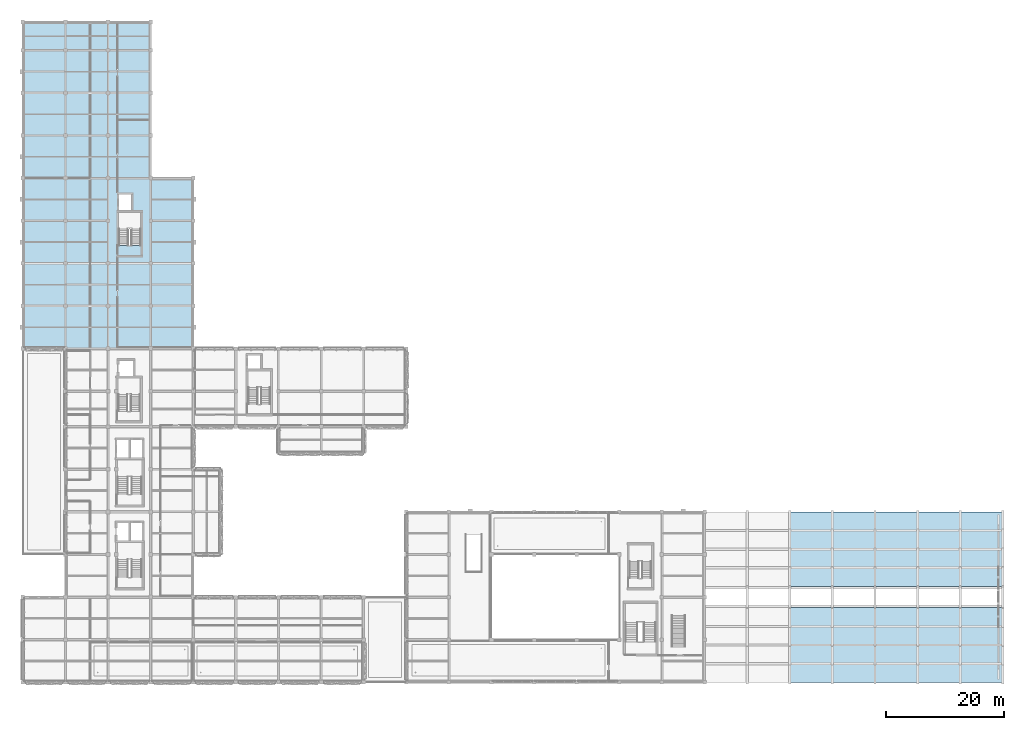
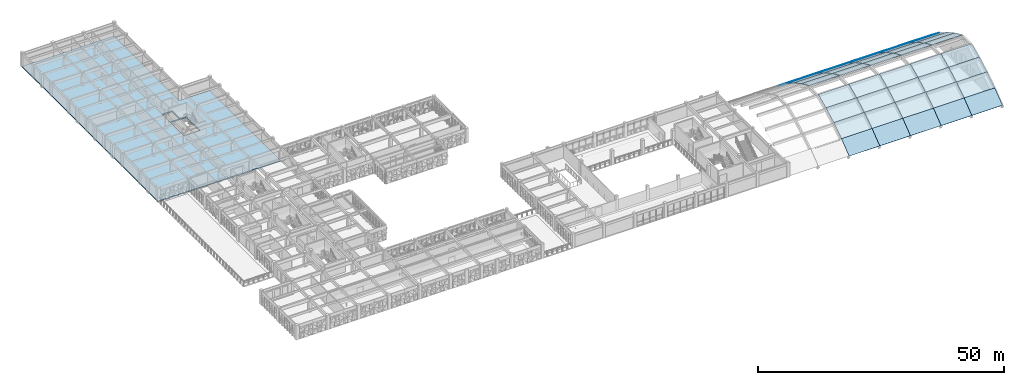
# One storey, part 41 of 85: 41 slabs.
"""IFC4 building model written with IfcOpenShell, lengths in metres."""

from ifc_helpers import new_model, si_unit, direction, frame, origin, place, context, subcontext, project, spatial, polyline, outline, extrude, material, layer, layer_set, type_object, element, save


model = new_model("IFC4")

# Units and contexts
model_context = context("Model", 3, precision=1e-05, world=origin(), true_north=direction((0.0, 1.0)))
body_context = subcontext(model_context, "Body", "Model", "MODEL_VIEW")
ifc_project = project(units=[si_unit("LENGTHUNIT", "METRE"), si_unit("AREAUNIT", "SQUARE_METRE"), si_unit("VOLUMEUNIT", "CUBIC_METRE"), si_unit("PLANEANGLEUNIT", "RADIAN"), si_unit("MASSUNIT", "GRAM", prefix="KILO")], contexts=[model_context])

# Site, building, storey
site_placement = place(None, origin())
site = spatial("IfcSite", under=ifc_project, at=site_placement, CompositionType="ELEMENT")
building_placement = place(site_placement, origin())
building = spatial("IfcBuilding", under=site, at=building_placement, Name="Alvorim Cloister Faculty of Sciences", CompositionType="ELEMENT")
storey_placement = place(building_placement, frame((0.0, 0.0, 8.550048828125)))
storey = spatial("IfcBuildingStorey", under=building, at=storey_placement, Name="L02", CompositionType="ELEMENT", Elevation=8.550048828125)

# Slabs
ifc_material = material(Name="Concrete C40", Category="concrete")
ifc_layer_1 = layer(ifc_material, 0.260009765625)
ifc_layer_set_1 = layer_set([ifc_layer_1], Name="Concrete C40")
slab_type_1 = type_object("IfcSlabType", Name="SL-RC-260", PredefinedType="FLOOR", material=ifc_layer_set_1)
slab_1_placement = place(storey_placement, frame((0.0, 0.0, -0.260009765625)))
element("IfcSlab", 1, at=slab_1_placement, inside=storey, type_object=slab_type_1, Name="L02 V2 Structural Slab 22", PredefinedType="FLOOR", context=body_context, shape_type="SweptSolid", body=[
    extrude(outline(polyline([(28.794921875, 56.405029296875), (0.0048828125, 56.405029296875), (0.0048828125, 111.594970703125), (21.594970703125, 111.594970703125), (21.594970703125, 85.195068359375), (28.794921875, 85.195068359375), (28.794921875, 56.405029296875)]), holes=[polyline([(19.919921875, 79.39990234375), (16.199951171875, 79.39990234375), (16.199951171875, 73.830078125), (19.919921875, 73.830078125), (19.919921875, 79.39990234375)]), polyline([(18.5, 82.60009765625), (16.10009765625, 82.60009765625), (16.10009765625, 79.60009765625), (18.5, 79.60009765625), (18.5, 82.60009765625)])]), origin(), (0.0, 0.0, 1.0), 0.260009765625),
])
ifc_layer_2 = layer(ifc_material, 0.110107421875)
ifc_layer_set_2 = layer_set([ifc_layer_2], Name="Concrete C40")
slab_type_2 = type_object("IfcSlabType", Name="SL-SHELL-110", PredefinedType="ROOF", material=ifc_layer_set_2)
slab_2_placement = place(storey_placement, frame((129.60009765625, 0.0, 0.0), z_axis=(0.0, -0.613944849069, 0.789348923038), x_axis=(1.0, 0.0, 0.0)))
element("IfcSlab", 2, at=slab_2_placement, inside=storey, type_object=slab_type_2, Name="SH-V1 Pointed Concrete Shell Chord 3.S1", PredefinedType="ROOF", context=body_context, shape_type="SweptSolid", body=[
    extrude(outline(polyline([(0.0, 0.0), (7.199951171875, 0.0), (7.199951171875, 3.990506925157934), (0.0, 3.990506925157934), (0.0, 0.0)])), origin(), (0.0, 0.0, -1.0), 0.110107421875),
])
slab_3_placement = place(storey_placement, frame((129.60009765625, 3.14990234375, 2.449951171875), z_axis=(0.0, -0.548176378921, 0.836362754786), x_axis=(1.0, 0.0, 0.0)))
element("IfcSlab", 3, at=slab_3_placement, inside=storey, type_object=slab_type_2, Name="SH-V1 Pointed Concrete Shell Chord 3.S2", PredefinedType="ROOF", context=body_context, shape_type="SweptSolid", body=[
    extrude(outline(polyline([(0.0, 0.0), (7.199951171875, 0.0), (7.199951171875, 3.766483462289397), (0.0, 3.766483462289397), (0.0, 0.0)])), origin(), (0.0, 0.0, -1.0), 0.110107421875),
])
slab_4_placement = place(storey_placement, frame((129.60009765625, 6.300048828125, 4.5146484375), z_axis=(0.0, -0.48248677866, 0.875903252887), x_axis=(1.0, 0.0, 0.0)))
element("IfcSlab", 4, at=slab_4_placement, inside=storey, type_object=slab_type_2, Name="SH-V1 Pointed Concrete Shell Chord 3.S3", PredefinedType="ROOF", context=body_context, shape_type="SweptSolid", body=[
    extrude(outline(polyline([(0.0, 0.0), (7.199951171875, 0.0), (7.199951171875, 3.5961760997770185), (0.0, 3.5961760997770185), (0.0, 0.0)])), origin(), (0.0, 0.0, -1.0), 0.110107421875),
])
for number, where, z_axis, x_axis, name in (
    (5, (129.60009765625, 9.449951171875, 6.249755859375), (0.0, -0.416778422587, 0.909008111331), (1.0, 0.0, 0.0), "SH-V1 Pointed Concrete Shell Chord 3.S4"),
    (6, (129.60009765625, 16.199951171875, 7.694091796875), (0.0, 0.416778422587, 0.909008111331), (1.0, 0.0, 0.0), "SH-V1 Pointed Concrete Shell Chord 3.N1"),
):
    element("IfcSlab", number, at=place(storey_placement, frame(where, z_axis=z_axis, x_axis=x_axis)), inside=storey, type_object=slab_type_2, Name=name, PredefinedType="ROOF", context=body_context, shape_type="SweptSolid", body=[
        extrude(outline(polyline([(0.0, 0.0), (7.199951171875, 0.0), (7.199951171875, 3.465476759895264), (0.0, 3.465476759895264), (0.0, 0.0)])), origin(), (0.0, 0.0, -1.0), 0.110107421875),
    ])
slab_5_placement = place(storey_placement, frame((129.60009765625, 19.35009765625, 6.249755859375), z_axis=(0.0, 0.48248677866, 0.875903252887), x_axis=(1.0, 0.0, 0.0)))
element("IfcSlab", 7, at=slab_5_placement, inside=storey, type_object=slab_type_2, Name="SH-V1 Pointed Concrete Shell Chord 3.N2", PredefinedType="ROOF", context=body_context, shape_type="SweptSolid", body=[
    extrude(outline(polyline([(0.0, 0.0), (7.199951171875, 0.0), (7.199951171875, 3.5961760997770185), (0.0, 3.5961760997770185), (0.0, 0.0)])), origin(), (0.0, 0.0, -1.0), 0.110107421875),
])
slab_6_placement = place(storey_placement, frame((129.60009765625, 22.5, 4.5146484375), z_axis=(0.0, 0.548206098146, 0.83634327519), x_axis=(1.0, 0.0, 0.0)))
element("IfcSlab", 8, at=slab_6_placement, inside=storey, type_object=slab_type_2, Name="SH-V1 Pointed Concrete Shell Chord 3.N3", PredefinedType="ROOF", context=body_context, shape_type="SweptSolid", body=[
    extrude(outline(polyline([(0.0, 0.0), (7.199951171875, 0.0), (7.199951171875, 3.7662792745415326), (0.0, 3.7662792745415326), (0.0, 0.0)])), origin(), (0.0, 0.0, -1.0), 0.110107421875),
])
slab_7_placement = place(storey_placement, frame((129.60009765625, 25.64990234375, 2.449951171875), z_axis=(0.0, 0.613915201046, 0.789371981973), x_axis=(1.0, 0.0, 0.0)))
element("IfcSlab", 9, at=slab_7_placement, inside=storey, type_object=slab_type_2, Name="SH-V1 Pointed Concrete Shell Chord 3.N4", PredefinedType="ROOF", context=body_context, shape_type="SweptSolid", body=[
    extrude(outline(polyline([(0.0, 0.0), (7.199951171875, 0.0), (7.199951171875, 3.9906996401122266), (0.0, 3.9906996401122266), (0.0, 0.0)])), origin(), (0.0, 0.0, -1.0), 0.110107421875),
])
slab_8_placement = place(storey_placement, frame((136.800048828125, 0.0, 0.0), z_axis=(0.0, -0.613944849069, 0.789348923038), x_axis=(1.0, 0.0, 0.0)))
element("IfcSlab", 10, at=slab_8_placement, inside=storey, type_object=slab_type_2, Name="SH-V1 Pointed Concrete Shell Chord 4.S1", PredefinedType="ROOF", context=body_context, shape_type="SweptSolid", body=[
    extrude(outline(polyline([(0.0, 0.0), (7.199951171875, 0.0), (7.199951171875, 3.990506925157934), (0.0, 3.990506925157934), (0.0, 0.0)])), origin(), (0.0, 0.0, -1.0), 0.110107421875),
])
slab_9_placement = place(storey_placement, frame((136.800048828125, 3.14990234375, 2.449951171875), z_axis=(0.0, -0.548176378921, 0.836362754786), x_axis=(1.0, 0.0, 0.0)))
element("IfcSlab", 11, at=slab_9_placement, inside=storey, type_object=slab_type_2, Name="SH-V1 Pointed Concrete Shell Chord 4.S2", PredefinedType="ROOF", context=body_context, shape_type="SweptSolid", body=[
    extrude(outline(polyline([(0.0, 0.0), (7.199951171875, 0.0), (7.199951171875, 3.766483462289397), (0.0, 3.766483462289397), (0.0, 0.0)])), origin(), (0.0, 0.0, -1.0), 0.110107421875),
])
slab_10_placement = place(storey_placement, frame((136.800048828125, 6.300048828125, 4.5146484375), z_axis=(0.0, -0.48248677866, 0.875903252887), x_axis=(1.0, 0.0, 0.0)))
element("IfcSlab", 12, at=slab_10_placement, inside=storey, type_object=slab_type_2, Name="SH-V1 Pointed Concrete Shell Chord 4.S3", PredefinedType="ROOF", context=body_context, shape_type="SweptSolid", body=[
    extrude(outline(polyline([(0.0, 0.0), (7.199951171875, 0.0), (7.199951171875, 3.5961760997770185), (0.0, 3.5961760997770185), (0.0, 0.0)])), origin(), (0.0, 0.0, -1.0), 0.110107421875),
])
for number, where, z_axis, x_axis, name in (
    (13, (136.800048828125, 9.449951171875, 6.249755859375), (0.0, -0.416778422587, 0.909008111331), (1.0, 0.0, 0.0), "SH-V1 Pointed Concrete Shell Chord 4.S4"),
    (14, (136.800048828125, 16.199951171875, 7.694091796875), (0.0, 0.416778422587, 0.909008111331), (1.0, 0.0, 0.0), "SH-V1 Pointed Concrete Shell Chord 4.N1"),
):
    element("IfcSlab", number, at=place(storey_placement, frame(where, z_axis=z_axis, x_axis=x_axis)), inside=storey, type_object=slab_type_2, Name=name, PredefinedType="ROOF", context=body_context, shape_type="SweptSolid", body=[
        extrude(outline(polyline([(0.0, 0.0), (7.199951171875, 0.0), (7.199951171875, 3.465476759895264), (0.0, 3.465476759895264), (0.0, 0.0)])), origin(), (0.0, 0.0, -1.0), 0.110107421875),
    ])
slab_11_placement = place(storey_placement, frame((136.800048828125, 19.35009765625, 6.249755859375), z_axis=(0.0, 0.48248677866, 0.875903252887), x_axis=(1.0, 0.0, 0.0)))
element("IfcSlab", 15, at=slab_11_placement, inside=storey, type_object=slab_type_2, Name="SH-V1 Pointed Concrete Shell Chord 4.N2", PredefinedType="ROOF", context=body_context, shape_type="SweptSolid", body=[
    extrude(outline(polyline([(0.0, 0.0), (7.199951171875, 0.0), (7.199951171875, 3.5961760997770185), (0.0, 3.5961760997770185), (0.0, 0.0)])), origin(), (0.0, 0.0, -1.0), 0.110107421875),
])
slab_12_placement = place(storey_placement, frame((136.800048828125, 22.5, 4.5146484375), z_axis=(0.0, 0.548206098146, 0.83634327519), x_axis=(1.0, 0.0, 0.0)))
element("IfcSlab", 16, at=slab_12_placement, inside=storey, type_object=slab_type_2, Name="SH-V1 Pointed Concrete Shell Chord 4.N3", PredefinedType="ROOF", context=body_context, shape_type="SweptSolid", body=[
    extrude(outline(polyline([(0.0, 0.0), (7.199951171875, 0.0), (7.199951171875, 3.7662792745415326), (0.0, 3.7662792745415326), (0.0, 0.0)])), origin(), (0.0, 0.0, -1.0), 0.110107421875),
])
slab_13_placement = place(storey_placement, frame((136.800048828125, 25.64990234375, 2.449951171875), z_axis=(0.0, 0.613915201046, 0.789371981973), x_axis=(1.0, 0.0, 0.0)))
element("IfcSlab", 17, at=slab_13_placement, inside=storey, type_object=slab_type_2, Name="SH-V1 Pointed Concrete Shell Chord 4.N4", PredefinedType="ROOF", context=body_context, shape_type="SweptSolid", body=[
    extrude(outline(polyline([(0.0, 0.0), (7.199951171875, 0.0), (7.199951171875, 3.9906996401122266), (0.0, 3.9906996401122266), (0.0, 0.0)])), origin(), (0.0, 0.0, -1.0), 0.110107421875),
])
slab_14_placement = place(storey_placement, frame((144.0, 0.0, 0.0), z_axis=(0.0, -0.613944849069, 0.789348923038), x_axis=(1.0, 0.0, 0.0)))
element("IfcSlab", 18, at=slab_14_placement, inside=storey, type_object=slab_type_2, Name="SH-V1 Pointed Concrete Shell Chord 5.S1", PredefinedType="ROOF", context=body_context, shape_type="SweptSolid", body=[
    extrude(outline(polyline([(0.0, 0.0), (7.199951171875, 0.0), (7.199951171875, 3.990506925157934), (0.0, 3.990506925157934), (0.0, 0.0)])), origin(), (0.0, 0.0, -1.0), 0.110107421875),
])
slab_15_placement = place(storey_placement, frame((144.0, 3.14990234375, 2.449951171875), z_axis=(0.0, -0.548176378921, 0.836362754786), x_axis=(1.0, 0.0, 0.0)))
element("IfcSlab", 19, at=slab_15_placement, inside=storey, type_object=slab_type_2, Name="SH-V1 Pointed Concrete Shell Chord 5.S2", PredefinedType="ROOF", context=body_context, shape_type="SweptSolid", body=[
    extrude(outline(polyline([(0.0, 0.0), (7.199951171875, 0.0), (7.199951171875, 3.766483462289397), (0.0, 3.766483462289397), (0.0, 0.0)])), origin(), (0.0, 0.0, -1.0), 0.110107421875),
])
slab_16_placement = place(storey_placement, frame((144.0, 6.300048828125, 4.5146484375), z_axis=(0.0, -0.48248677866, 0.875903252887), x_axis=(1.0, 0.0, 0.0)))
element("IfcSlab", 20, at=slab_16_placement, inside=storey, type_object=slab_type_2, Name="SH-V1 Pointed Concrete Shell Chord 5.S3", PredefinedType="ROOF", context=body_context, shape_type="SweptSolid", body=[
    extrude(outline(polyline([(0.0, 0.0), (7.199951171875, 0.0), (7.199951171875, 3.5961760997770185), (0.0, 3.5961760997770185), (0.0, 0.0)])), origin(), (0.0, 0.0, -1.0), 0.110107421875),
])
for number, where, z_axis, x_axis, name in (
    (21, (144.0, 9.449951171875, 6.249755859375), (0.0, -0.416778422587, 0.909008111331), (1.0, 0.0, 0.0), "SH-V1 Pointed Concrete Shell Chord 5.S4"),
    (22, (144.0, 16.199951171875, 7.694091796875), (0.0, 0.416778422587, 0.909008111331), (1.0, 0.0, 0.0), "SH-V1 Pointed Concrete Shell Chord 5.N1"),
):
    element("IfcSlab", number, at=place(storey_placement, frame(where, z_axis=z_axis, x_axis=x_axis)), inside=storey, type_object=slab_type_2, Name=name, PredefinedType="ROOF", context=body_context, shape_type="SweptSolid", body=[
        extrude(outline(polyline([(0.0, 0.0), (7.199951171875, 0.0), (7.199951171875, 3.465476759895264), (0.0, 3.465476759895264), (0.0, 0.0)])), origin(), (0.0, 0.0, -1.0), 0.110107421875),
    ])
slab_17_placement = place(storey_placement, frame((144.0, 19.35009765625, 6.249755859375), z_axis=(0.0, 0.48248677866, 0.875903252887), x_axis=(1.0, 0.0, 0.0)))
element("IfcSlab", 23, at=slab_17_placement, inside=storey, type_object=slab_type_2, Name="SH-V1 Pointed Concrete Shell Chord 5.N2", PredefinedType="ROOF", context=body_context, shape_type="SweptSolid", body=[
    extrude(outline(polyline([(0.0, 0.0), (7.199951171875, 0.0), (7.199951171875, 3.5961760997770185), (0.0, 3.5961760997770185), (0.0, 0.0)])), origin(), (0.0, 0.0, -1.0), 0.110107421875),
])
slab_18_placement = place(storey_placement, frame((144.0, 22.5, 4.5146484375), z_axis=(0.0, 0.548206098146, 0.83634327519), x_axis=(1.0, 0.0, 0.0)))
element("IfcSlab", 24, at=slab_18_placement, inside=storey, type_object=slab_type_2, Name="SH-V1 Pointed Concrete Shell Chord 5.N3", PredefinedType="ROOF", context=body_context, shape_type="SweptSolid", body=[
    extrude(outline(polyline([(0.0, 0.0), (7.199951171875, 0.0), (7.199951171875, 3.7662792745415326), (0.0, 3.7662792745415326), (0.0, 0.0)])), origin(), (0.0, 0.0, -1.0), 0.110107421875),
])
slab_19_placement = place(storey_placement, frame((144.0, 25.64990234375, 2.449951171875), z_axis=(0.0, 0.613915201046, 0.789371981973), x_axis=(1.0, 0.0, 0.0)))
element("IfcSlab", 25, at=slab_19_placement, inside=storey, type_object=slab_type_2, Name="SH-V1 Pointed Concrete Shell Chord 5.N4", PredefinedType="ROOF", context=body_context, shape_type="SweptSolid", body=[
    extrude(outline(polyline([(0.0, 0.0), (7.199951171875, 0.0), (7.199951171875, 3.9906996401122266), (0.0, 3.9906996401122266), (0.0, 0.0)])), origin(), (0.0, 0.0, -1.0), 0.110107421875),
])
slab_20_placement = place(storey_placement, frame((151.199951171875, 0.0, 0.0), z_axis=(0.0, -0.613944849069, 0.789348923038), x_axis=(1.0, 0.0, 0.0)))
element("IfcSlab", 26, at=slab_20_placement, inside=storey, type_object=slab_type_2, Name="SH-V1 Pointed Concrete Shell Chord 6.S1", PredefinedType="ROOF", context=body_context, shape_type="SweptSolid", body=[
    extrude(outline(polyline([(0.0, 0.0), (7.199951171875, 0.0), (7.199951171875, 3.990506925157934), (0.0, 3.990506925157934), (0.0, 0.0)])), origin(), (0.0, 0.0, -1.0), 0.110107421875),
])
slab_21_placement = place(storey_placement, frame((151.199951171875, 3.14990234375, 2.449951171875), z_axis=(0.0, -0.548176378921, 0.836362754786), x_axis=(1.0, 0.0, 0.0)))
element("IfcSlab", 27, at=slab_21_placement, inside=storey, type_object=slab_type_2, Name="SH-V1 Pointed Concrete Shell Chord 6.S2", PredefinedType="ROOF", context=body_context, shape_type="SweptSolid", body=[
    extrude(outline(polyline([(0.0, 0.0), (7.199951171875, 0.0), (7.199951171875, 3.766483462289397), (0.0, 3.766483462289397), (0.0, 0.0)])), origin(), (0.0, 0.0, -1.0), 0.110107421875),
])
slab_22_placement = place(storey_placement, frame((151.199951171875, 6.300048828125, 4.5146484375), z_axis=(0.0, -0.48248677866, 0.875903252887), x_axis=(1.0, 0.0, 0.0)))
element("IfcSlab", 28, at=slab_22_placement, inside=storey, type_object=slab_type_2, Name="SH-V1 Pointed Concrete Shell Chord 6.S3", PredefinedType="ROOF", context=body_context, shape_type="SweptSolid", body=[
    extrude(outline(polyline([(0.0, 0.0), (7.199951171875, 0.0), (7.199951171875, 3.5961760997770185), (0.0, 3.5961760997770185), (0.0, 0.0)])), origin(), (0.0, 0.0, -1.0), 0.110107421875),
])
for number, where, z_axis, x_axis, name in (
    (29, (151.199951171875, 9.449951171875, 6.249755859375), (0.0, -0.416778422587, 0.909008111331), (1.0, 0.0, 0.0), "SH-V1 Pointed Concrete Shell Chord 6.S4"),
    (30, (151.199951171875, 16.199951171875, 7.694091796875), (0.0, 0.416778422587, 0.909008111331), (1.0, 0.0, 0.0), "SH-V1 Pointed Concrete Shell Chord 6.N1"),
):
    element("IfcSlab", number, at=place(storey_placement, frame(where, z_axis=z_axis, x_axis=x_axis)), inside=storey, type_object=slab_type_2, Name=name, PredefinedType="ROOF", context=body_context, shape_type="SweptSolid", body=[
        extrude(outline(polyline([(0.0, 0.0), (7.199951171875, 0.0), (7.199951171875, 3.465476759895264), (0.0, 3.465476759895264), (0.0, 0.0)])), origin(), (0.0, 0.0, -1.0), 0.110107421875),
    ])
slab_23_placement = place(storey_placement, frame((151.199951171875, 19.35009765625, 6.249755859375), z_axis=(0.0, 0.48248677866, 0.875903252887), x_axis=(1.0, 0.0, 0.0)))
element("IfcSlab", 31, at=slab_23_placement, inside=storey, type_object=slab_type_2, Name="SH-V1 Pointed Concrete Shell Chord 6.N2", PredefinedType="ROOF", context=body_context, shape_type="SweptSolid", body=[
    extrude(outline(polyline([(0.0, 0.0), (7.199951171875, 0.0), (7.199951171875, 3.5961760997770185), (0.0, 3.5961760997770185), (0.0, 0.0)])), origin(), (0.0, 0.0, -1.0), 0.110107421875),
])
slab_24_placement = place(storey_placement, frame((151.199951171875, 22.5, 4.5146484375), z_axis=(0.0, 0.548206098146, 0.83634327519), x_axis=(1.0, 0.0, 0.0)))
element("IfcSlab", 32, at=slab_24_placement, inside=storey, type_object=slab_type_2, Name="SH-V1 Pointed Concrete Shell Chord 6.N3", PredefinedType="ROOF", context=body_context, shape_type="SweptSolid", body=[
    extrude(outline(polyline([(0.0, 0.0), (7.199951171875, 0.0), (7.199951171875, 3.7662792745415326), (0.0, 3.7662792745415326), (0.0, 0.0)])), origin(), (0.0, 0.0, -1.0), 0.110107421875),
])
slab_25_placement = place(storey_placement, frame((151.199951171875, 25.64990234375, 2.449951171875), z_axis=(0.0, 0.613915201046, 0.789371981973), x_axis=(1.0, 0.0, 0.0)))
element("IfcSlab", 33, at=slab_25_placement, inside=storey, type_object=slab_type_2, Name="SH-V1 Pointed Concrete Shell Chord 6.N4", PredefinedType="ROOF", context=body_context, shape_type="SweptSolid", body=[
    extrude(outline(polyline([(0.0, 0.0), (7.199951171875, 0.0), (7.199951171875, 3.9906996401122266), (0.0, 3.9906996401122266), (0.0, 0.0)])), origin(), (0.0, 0.0, -1.0), 0.110107421875),
])
slab_26_placement = place(storey_placement, frame((158.39990234375, 0.0, 0.0), z_axis=(0.0, -0.613944849069, 0.789348923038), x_axis=(1.0, 0.0, 0.0)))
element("IfcSlab", 34, at=slab_26_placement, inside=storey, type_object=slab_type_2, Name="SH-V1 Pointed Concrete Shell Chord 7.S1", PredefinedType="ROOF", context=body_context, shape_type="SweptSolid", body=[
    extrude(outline(polyline([(0.0, 0.0), (7.2001953125, 0.0), (7.2001953125, 3.990506925157934), (0.0, 3.990506925157934), (0.0, 0.0)])), origin(), (0.0, 0.0, -1.0), 0.110107421875),
])
slab_27_placement = place(storey_placement, frame((158.39990234375, 3.14990234375, 2.449951171875), z_axis=(0.0, -0.548176378921, 0.836362754786), x_axis=(1.0, 0.0, 0.0)))
element("IfcSlab", 35, at=slab_27_placement, inside=storey, type_object=slab_type_2, Name="SH-V1 Pointed Concrete Shell Chord 7.S2", PredefinedType="ROOF", context=body_context, shape_type="SweptSolid", body=[
    extrude(outline(polyline([(0.0, 0.0), (7.2001953125, 0.0), (7.2001953125, 3.766483462289397), (0.0, 3.766483462289397), (0.0, 0.0)])), origin(), (0.0, 0.0, -1.0), 0.110107421875),
])
slab_28_placement = place(storey_placement, frame((158.39990234375, 6.300048828125, 4.5146484375), z_axis=(0.0, -0.48248677866, 0.875903252887), x_axis=(1.0, 0.0, 0.0)))
element("IfcSlab", 36, at=slab_28_placement, inside=storey, type_object=slab_type_2, Name="SH-V1 Pointed Concrete Shell Chord 7.S3", PredefinedType="ROOF", context=body_context, shape_type="SweptSolid", body=[
    extrude(outline(polyline([(0.0, 0.0), (7.2001953125, 0.0), (7.2001953125, 3.59617609977702), (0.0, 3.59617609977702), (0.0, 0.0)])), origin(), (0.0, 0.0, -1.0), 0.110107421875),
])
for number, where, z_axis, x_axis, name in (
    (37, (158.39990234375, 9.449951171875, 6.249755859375), (0.0, -0.416778422587, 0.909008111331), (1.0, 0.0, 0.0), "SH-V1 Pointed Concrete Shell Chord 7.S4"),
    (38, (158.39990234375, 16.199951171875, 7.694091796875), (0.0, 0.416778422587, 0.909008111331), (1.0, 0.0, 0.0), "SH-V1 Pointed Concrete Shell Chord 7.N1"),
):
    element("IfcSlab", number, at=place(storey_placement, frame(where, z_axis=z_axis, x_axis=x_axis)), inside=storey, type_object=slab_type_2, Name=name, PredefinedType="ROOF", context=body_context, shape_type="SweptSolid", body=[
        extrude(outline(polyline([(0.0, 0.0), (7.2001953125, 0.0), (7.2001953125, 3.465476759895264), (0.0, 3.465476759895264), (0.0, 0.0)])), origin(), (0.0, 0.0, -1.0), 0.110107421875),
    ])
slab_29_placement = place(storey_placement, frame((158.39990234375, 19.35009765625, 6.249755859375), z_axis=(0.0, 0.48248677866, 0.875903252887), x_axis=(1.0, 0.0, 0.0)))
element("IfcSlab", 39, at=slab_29_placement, inside=storey, type_object=slab_type_2, Name="SH-V1 Pointed Concrete Shell Chord 7.N2", PredefinedType="ROOF", context=body_context, shape_type="SweptSolid", body=[
    extrude(outline(polyline([(0.0, 0.0), (7.2001953125, 0.0), (7.2001953125, 3.59617609977702), (0.0, 3.59617609977702), (0.0, 0.0)])), origin(), (0.0, 0.0, -1.0), 0.110107421875),
])
slab_30_placement = place(storey_placement, frame((158.39990234375, 22.5, 4.5146484375), z_axis=(0.0, 0.548206098146, 0.83634327519), x_axis=(1.0, 0.0, 0.0)))
element("IfcSlab", 40, at=slab_30_placement, inside=storey, type_object=slab_type_2, Name="SH-V1 Pointed Concrete Shell Chord 7.N3", PredefinedType="ROOF", context=body_context, shape_type="SweptSolid", body=[
    extrude(outline(polyline([(0.0, 0.0), (7.2001953125, 0.0), (7.2001953125, 3.7662792745415334), (0.0, 3.7662792745415334), (0.0, 0.0)])), origin(), (0.0, 0.0, -1.0), 0.110107421875),
])
slab_31_placement = place(storey_placement, frame((158.39990234375, 25.64990234375, 2.449951171875), z_axis=(0.0, 0.613915201046, 0.789371981973), x_axis=(1.0, 0.0, 0.0)))
element("IfcSlab", 41, at=slab_31_placement, inside=storey, type_object=slab_type_2, Name="SH-V1 Pointed Concrete Shell Chord 7.N4", PredefinedType="ROOF", context=body_context, shape_type="SweptSolid", body=[
    extrude(outline(polyline([(0.0, 0.0), (7.2001953125, 0.0), (7.2001953125, 3.9906996401122274), (0.0, 3.9906996401122274), (0.0, 0.0)])), origin(), (0.0, 0.0, -1.0), 0.110107421875),
])

save(model, "model.ifc")
